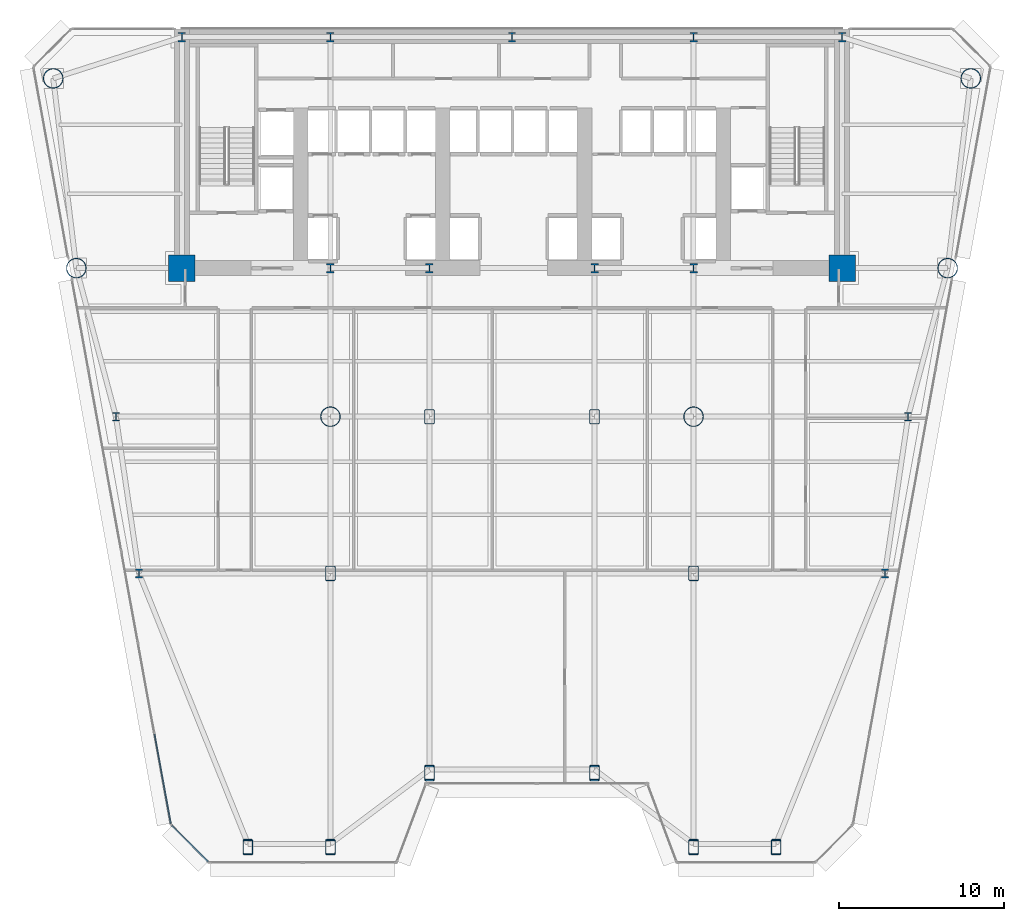
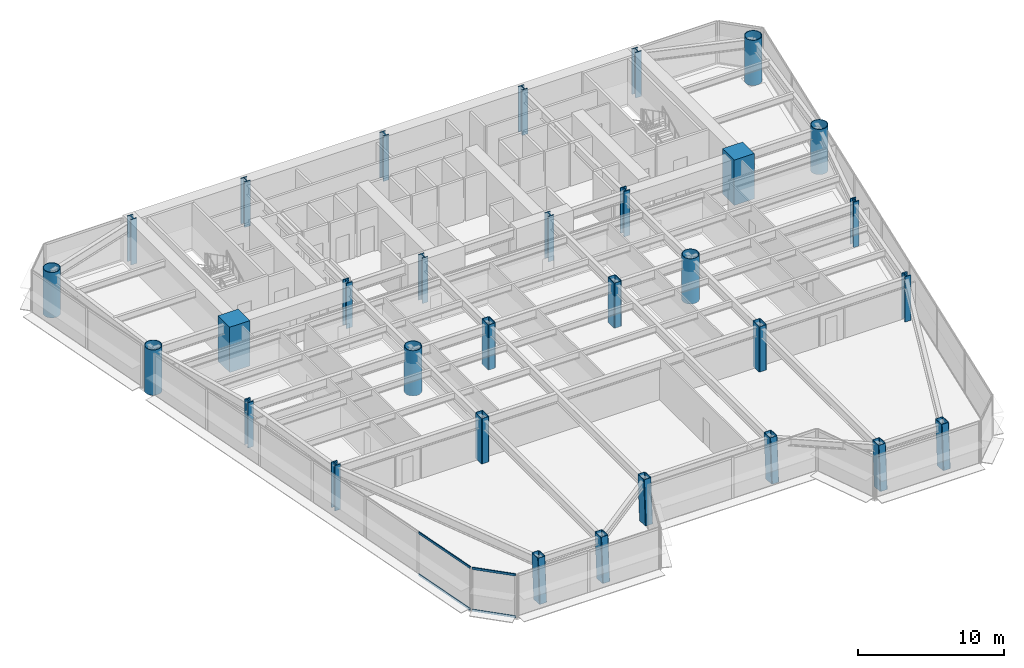
# One storey, part 1 of 14: 31 columns, 4 members, 2 elements without a shape of their own.
"""IFC4 building model written with IfcOpenShell, lengths in metres."""

from ifc_helpers import new_model, si_unit, direction, frame, origin, origin_2d, place, context, subcontext, project, spatial, rectangle, hollow_rectangle, hollow_circle, i_section, extrude, source, transform, mapped, material, layer, layer_set, material_profile, profile_set, type_object, element, aggregate, save


model = new_model("IFC4")

# Units and contexts
model_context = context("Model", 3, precision=1e-05, world=origin(), true_north=direction((0.0, 1.0)))
body_context = subcontext(model_context, "Body", "Model", "MODEL_VIEW")
ifc_project = project(units=[si_unit("LENGTHUNIT", "METRE"), si_unit("AREAUNIT", "SQUARE_METRE"), si_unit("VOLUMEUNIT", "CUBIC_METRE"), si_unit("PLANEANGLEUNIT", "RADIAN"), si_unit("MASSUNIT", "GRAM", prefix="KILO")], contexts=[model_context])

# Site, building, storey
site_placement = place(None, origin())
site = spatial("IfcSite", under=ifc_project, at=site_placement, CompositionType="ELEMENT")
building_placement = place(site_placement, origin())
building = spatial("IfcBuilding", under=site, at=building_placement, Name="Vaeldorn Concourse Tower", CompositionType="ELEMENT")
storey_placement = place(building_placement, frame((0.0, 0.0, 26.39990234375)))
storey = spatial("IfcBuildingStorey", under=building, at=storey_placement, Name="L06", CompositionType="ELEMENT", Elevation=26.39990234375)

# Columns
ifc_material_1 = material(Name="Concrete C60/75", Category="concrete")
ifc_material_profile_1 = material_profile(ifc_material_1, rectangle(XDim=1.60009765625, YDim=1.60009765625, at=origin_2d()), Name="RC 1600x1600")
ifc_profile_set_1 = profile_set([ifc_material_profile_1], Name="Concrete C60/75")
column_type_1 = type_object("IfcColumnType", Name="COL-RC1600", PredefinedType="COLUMN", material=ifc_profile_set_1)
shared_shape_1 = source(origin(), body_context, "Body", "SweptSolid", [
    extrude(rectangle(XDim=1.60009765625, YDim=1.60009765625, at=origin_2d()), origin(), (0.0, 0.0, 1.0), 3.800048828125),
])
for number, where, z_axis, x_axis, name in (
    (1, (14.0, 36.5, 0.0), (0.0, 0.0, 1.0), (1.0, 0.0, 0.0), "Column C-FC1 L06"),
    (2, (54.0, 36.5, 0.0), (0.0, 0.0, 1.0), (1.0, 0.0, 0.0), "Column C-FC6 L06"),
):
    element("IfcColumn", number, at=place(storey_placement, frame(where, z_axis=z_axis, x_axis=x_axis)), inside=storey, type_object=column_type_1, Name=name, PredefinedType="COLUMN", context=body_context, shape_type="MappedRepresentation", body=[
        mapped(shared_shape_1, transform((0.0, 0.0, 0.0), scale=1.0)),
    ])
ifc_material_2 = material(Name="Steel S460", Category="steel")
ifc_material_profile_2 = material_profile(ifc_material_2, i_section(OverallWidth=0.4541015625, OverallDepth=0.569091796875, WebThickness=0.077880859375, FlangeThickness=0.080078125, FilletRadius=0.014892578125, at=origin_2d()), Name="HD 400x1086")
ifc_profile_set_2 = profile_set([ifc_material_profile_2], Name="Steel S460")
column_type_2 = type_object("IfcColumnType", Name="COL-HD1086", PredefinedType="COLUMN", material=ifc_profile_set_2)
shared_shape_2 = source(origin(), body_context, "Body", "SweptSolid", [
    extrude(i_section(OverallWidth=0.4541015625, OverallDepth=0.569091796875, WebThickness=0.077880859375, FlangeThickness=0.080078125, FilletRadius=0.014892578125, at=origin_2d()), origin(), (0.0, 0.0, 1.0), 3.800048828125),
])
for number, where, z_axis, x_axis, name in (
    (3, (23.0, 36.5, 0.0), (0.0, 0.0, 1.0), (1.0, 0.0, 0.0), "Column C-FC2 L06"),
    (4, (29.0, 36.5, 0.0), (0.0, 0.0, 1.0), (1.0, 0.0, 0.0), "Column C-FC3 L06"),
    (5, (39.0, 36.5, 0.0), (0.0, 0.0, 1.0), (1.0, 0.0, 0.0), "Column C-FC4 L06"),
    (6, (45.0, 36.5, 0.0), (0.0, 0.0, 1.0), (1.0, 0.0, 0.0), "Column C-FC5 L06"),
    (7, (14.0, 50.5, 0.0), (0.0, 0.0, 1.0), (1.0, 0.0, 0.0), "Column C-HC1 L06"),
    (8, (23.0, 50.5, 0.0), (0.0, 0.0, 1.0), (1.0, 0.0, 0.0), "Column C-HC2 L06"),
    (9, (34.0, 50.5, 0.0), (0.0, 0.0, 1.0), (1.0, 0.0, 0.0), "Column C-HC3 L06"),
    (10, (45.0, 50.5, 0.0), (0.0, 0.0, 1.0), (1.0, 0.0, 0.0), "Column C-HC4 L06"),
    (11, (54.0, 50.5, 0.0), (0.0, 0.0, 1.0), (1.0, 0.0, 0.0), "Column C-HC5 L06"),
):
    element("IfcColumn", number, at=place(storey_placement, frame(where, z_axis=z_axis, x_axis=x_axis)), inside=storey, type_object=column_type_2, Name=name, PredefinedType="COLUMN", context=body_context, shape_type="MappedRepresentation", body=[
        mapped(shared_shape_2, transform((0.0, 0.0, 0.0), scale=1.0)),
    ])
ifc_material_profile_3 = material_profile(ifc_material_2, hollow_circle(Radius=0.609619140625, WallThickness=0.050048828125, at=origin_2d()), Name="CHS 1219x50")
ifc_profile_set_3 = profile_set([ifc_material_profile_3], Name="Steel S460")
column_type_3 = type_object("IfcColumnType", Name="COL-CHS1219", PredefinedType="COLUMN", material=ifc_profile_set_3)
shared_shape_3 = source(origin(), body_context, "Body", "SweptSolid", [
    extrude(hollow_circle(Radius=0.609619140625, WallThickness=0.050048828125, at=origin_2d()), origin(), (0.0, 0.0, 1.0), 3.800048828125),
])
for number, where, z_axis, x_axis, name in (
    (12, (6.199951171875, 48.0, 0.0), (0.0, 0.0, 1.0), (1.0, 0.0, 0.0), "Column C-NW1 L06"),
    (13, (7.60009765625, 36.5, 0.0), (0.0, 0.0, 1.0), (1.0, 0.0, 0.0), "Column C-NW2 L06"),
    (14, (61.800048828125, 48.0, 0.0), (0.0, 0.0, 1.0), (1.0, 0.0, 0.0), "Column C-NE1 L06"),
    (15, (60.39990234375, 36.5, 0.0), (0.0, 0.0, 1.0), (1.0, 0.0, 0.0), "Column C-NE2 L06"),
    (16, (23.0, 27.5, 0.0), (0.0, 0.0, 1.0), (1.0, 0.0, 0.0), "Column C-TW1 L06"),
    (17, (45.0, 27.5, 0.0), (0.0, 0.0, 1.0), (1.0, 0.0, 0.0), "Column C-TW4 L06"),
):
    element("IfcColumn", number, at=place(storey_placement, frame(where, z_axis=z_axis, x_axis=x_axis)), inside=storey, type_object=column_type_3, Name=name, PredefinedType="COLUMN", context=body_context, shape_type="MappedRepresentation", body=[
        mapped(shared_shape_3, transform((0.0, 0.0, 0.0), scale=1.0)),
    ])
ifc_material_profile_4 = material_profile(ifc_material_2, i_section(OverallWidth=0.44189453125, OverallDepth=0.531005859375, WebThickness=0.06494140625, FlangeThickness=0.075927734375, FilletRadius=0.014892578125, at=origin_2d()), Name="HD 400x900")
ifc_profile_set_4 = profile_set([ifc_material_profile_4], Name="Steel S460")
column_type_4 = type_object("IfcColumnType", Name="COL-HD900F", PredefinedType="COLUMN", material=ifc_profile_set_4)
shared_shape_4 = source(origin(), body_context, "Body", "SweptSolid", [
    extrude(i_section(OverallWidth=0.44189453125, OverallDepth=0.531005859375, WebThickness=0.06494140625, FlangeThickness=0.075927734375, FilletRadius=0.014892578125, at=origin_2d()), origin(), (0.0, 0.0, 1.0), 3.800048828125),
])
for number, where, z_axis, x_axis, name in (
    (18, (10.0, 27.5, 0.0), (0.0, 0.0, 1.0), (1.0, 0.0, 0.0), "Column C-FLW1 L06"),
    (19, (11.39990234375, 18.0, 0.0), (0.0, 0.0, 1.0), (1.0, 0.0, 0.0), "Column C-FLW2 L06"),
    (20, (58.0, 27.5, 0.0), (0.0, 0.0, 1.0), (1.0, 0.0, 0.0), "Column C-FLE1 L06"),
    (21, (56.60009765625, 18.0, 0.0), (0.0, 0.0, 1.0), (1.0, 0.0, 0.0), "Column C-FLE2 L06"),
):
    element("IfcColumn", number, at=place(storey_placement, frame(where, z_axis=z_axis, x_axis=x_axis)), inside=storey, type_object=column_type_4, Name=name, PredefinedType="COLUMN", context=body_context, shape_type="MappedRepresentation", body=[
        mapped(shared_shape_4, transform((0.0, 0.0, 0.0), scale=1.0)),
    ])
ifc_material_profile_5 = material_profile(ifc_material_2, hollow_rectangle(XDim=0.60009765625, YDim=0.89990234375, WallThickness=0.0400390625, InnerFilletRadius=0.0400390625, OuterFilletRadius=0.080078125, at=origin_2d()), Name="RHS 900x600x40")
ifc_profile_set_5 = profile_set([ifc_material_profile_5], Name="Steel S460")
column_type_5 = type_object("IfcColumnType", Name="COL-RHS900", PredefinedType="COLUMN", material=ifc_profile_set_5)
shared_shape_5 = source(origin(), body_context, "Body", "SweptSolid", [
    extrude(hollow_rectangle(XDim=0.60009765625, YDim=0.89990234375, WallThickness=0.0400390625, InnerFilletRadius=0.0400390625, OuterFilletRadius=0.080078125, at=origin_2d()), origin(), (0.0, 0.0, 1.0), 3.800048828125),
])
for number, where, z_axis, x_axis, name in (
    (22, (29.0, 27.5, 0.0), (0.0, 0.0, 1.0), (1.0, 0.0, 0.0), "Column C-TW2 L06"),
    (23, (39.0, 27.5, 0.0), (0.0, 0.0, 1.0), (1.0, 0.0, 0.0), "Column C-TW3 L06"),
    (24, (23.0, 18.0, 0.0), (0.0, 0.0, 1.0), (1.0, 0.0, 0.0), "Column C-TW5 L06"),
    (25, (45.0, 18.0, 0.0), (0.0, 0.0, 1.0), (1.0, 0.0, 0.0), "Column C-TW6 L06"),
):
    element("IfcColumn", number, at=place(storey_placement, frame(where, z_axis=z_axis, x_axis=x_axis)), inside=storey, type_object=column_type_5, Name=name, PredefinedType="COLUMN", context=body_context, shape_type="MappedRepresentation", body=[
        mapped(shared_shape_5, transform((0.0, 0.0, 0.0), scale=1.0)),
    ])
shared_shape_6 = source(origin(), body_context, "Body", "SweptSolid", [
    extrude(hollow_rectangle(XDim=0.60009765625, YDim=0.89990234375, WallThickness=0.0400390625, InnerFilletRadius=0.0400390625, OuterFilletRadius=0.080078125, at=origin_2d()), origin(), (0.0, 0.0, 1.0), 3.74365234375),
])
for number, where, z_axis, x_axis, name in (
    (26, (18.0, 1.378173828125, 0.031982421875), (0.0, 0.063843869911, 0.997959899132), (-1.0, 0.0, 0.0), "Column C-SF1 L06"),
    (27, (23.0, 1.378173828125, 0.031982421875), (0.0, 0.063843869911, 0.997959899132), (-1.0, 0.0, 0.0), "Column C-SF2 L06"),
    (28, (29.0, 5.878173828125, 0.031982421875), (0.0, 0.063843869911, 0.997959899132), (-1.0, 0.0, 0.0), "Column C-SF3 L06"),
    (29, (39.0, 5.878173828125, 0.031982421875), (0.0, 0.063843869911, 0.997959899132), (-1.0, 0.0, 0.0), "Column C-SF4 L06"),
    (30, (45.0, 1.378173828125, 0.031982421875), (0.0, 0.063843869911, 0.997959899132), (-1.0, 0.0, 0.0), "Column C-SF5 L06"),
    (31, (50.0, 1.378173828125, 0.031982421875), (0.0, 0.063843869911, 0.997959899132), (-1.0, 0.0, 0.0), "Column C-SF6 L06"),
):
    element("IfcColumn", number, at=place(storey_placement, frame(where, z_axis=z_axis, x_axis=x_axis)), inside=storey, type_object=column_type_5, Name=name, PredefinedType="COLUMN", context=body_context, shape_type="MappedRepresentation", body=[
        mapped(shared_shape_6, transform((0.0, 0.0, 0.0), scale=1.0)),
    ])

# Curtain wall, members
ifc_material_3 = material(Name="Anodised Bronze Aluminium", Category="aluminium")
ifc_layer = layer(ifc_material_3, 0.219970703125)
ifc_layer_set = layer_set([ifc_layer], Name="Anodised Bronze Aluminium")
curtain_wall_type = type_object("IfcCurtainWallType", Name="CW-SYS-01", PredefinedType="NOTDEFINED", material=ifc_layer_set)
curtain_wall_1_placement = place(storey_placement, origin())
curtain_wall_1 = element("IfcCurtainWall", 32, at=curtain_wall_1_placement, inside=storey, type_object=curtain_wall_type, Name="Unitised Curtain Wall CW-L06-E12-1", PredefinedType="NOTDEFINED")
ifc_material_profile_6 = material_profile(ifc_material_3, rectangle(XDim=0.074951171875, YDim=0.179931640625, at=origin_2d()), Name="CWT 75x180")
ifc_profile_set_6 = profile_set([ifc_material_profile_6], Name="Anodised Bronze Aluminium")
member_type = type_object("IfcMemberType", Name="CWT-BRONZE-180", PredefinedType="USERDEFINED", material=ifc_profile_set_6)
shared_shape_7 = source(origin(), body_context, "Body", "SweptSolid", [
    extrude(rectangle(XDim=0.074951171875, YDim=0.179931640625, at=origin_2d()), origin(), (0.0, 0.0, 1.0), 3.1025390625),
])
member_1_placement = place(storey_placement, frame((13.38916015625, 2.72509765625, 0.03759765625), z_axis=(0.707106781187, -0.707106781187, 0.0), x_axis=(0.707106781187, 0.707106781187, 0.0)))
member_1 = element("IfcMember", 33, at=member_1_placement, type_object=member_type, Name="CW-01 transom 1.1", ObjectType="TRANSOM", PredefinedType="USERDEFINED", context=body_context, shape_type="MappedRepresentation", body=[
    mapped(shared_shape_7, transform((0.0, 0.0, 0.0), scale=1.0)),
])
member_2_placement = place(storey_placement, frame((13.38916015625, 2.72509765625, 3.54248046875), z_axis=(0.707106781187, -0.707106781187, 0.0), x_axis=(0.707106781187, 0.707106781187, 0.0)))
member_2 = element("IfcMember", 34, at=member_2_placement, type_object=member_type, Name="CW-01 transom 1.2", ObjectType="TRANSOM", PredefinedType="USERDEFINED", context=body_context, shape_type="MappedRepresentation", body=[
    mapped(shared_shape_7, transform((0.0, 0.0, 0.0), scale=1.0)),
])
aggregate(curtain_wall_1, [member_1, member_2])

curtain_wall_2_placement = place(storey_placement, origin())
curtain_wall_2 = element("IfcCurtainWall", 35, at=curtain_wall_2_placement, inside=storey, type_object=curtain_wall_type, Name="Unitised Curtain Wall CW-L06-E11-2", PredefinedType="NOTDEFINED")
shared_shape_8 = source(origin(), body_context, "Body", "SweptSolid", [
    extrude(rectangle(XDim=0.074951171875, YDim=0.179931640625, at=origin_2d()), origin(), (0.0, 0.0, 1.0), 5.49462890625),
])
member_3_placement = place(storey_placement, frame((12.34130859375, 8.25830078125, 0.03759765625), z_axis=(0.178619546254, -0.983918216975, 0.0), x_axis=(0.983918216975, 0.178619546254, 0.0)))
member_3 = element("IfcMember", 36, at=member_3_placement, type_object=member_type, Name="CW-01 transom 6.1", ObjectType="TRANSOM", PredefinedType="USERDEFINED", context=body_context, shape_type="MappedRepresentation", body=[
    mapped(shared_shape_8, transform((0.0, 0.0, 0.0), scale=1.0)),
])
member_4_placement = place(storey_placement, frame((12.34130859375, 8.25830078125, 3.54248046875), z_axis=(0.178619546254, -0.983918216975, 0.0), x_axis=(0.983918216975, 0.178619546254, 0.0)))
member_4 = element("IfcMember", 37, at=member_4_placement, type_object=member_type, Name="CW-01 transom 6.2", ObjectType="TRANSOM", PredefinedType="USERDEFINED", context=body_context, shape_type="MappedRepresentation", body=[
    mapped(shared_shape_8, transform((0.0, 0.0, 0.0), scale=1.0)),
])
aggregate(curtain_wall_2, [member_3, member_4])

save(model, "model.ifc")
